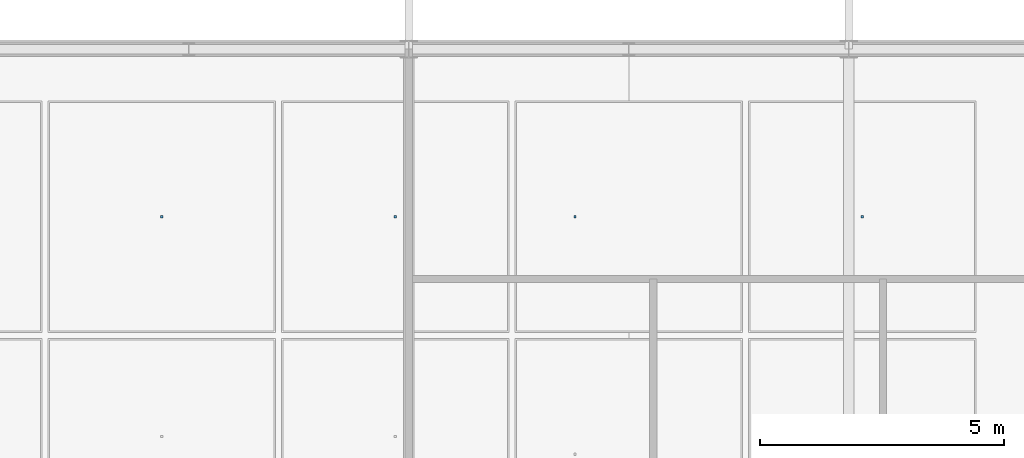
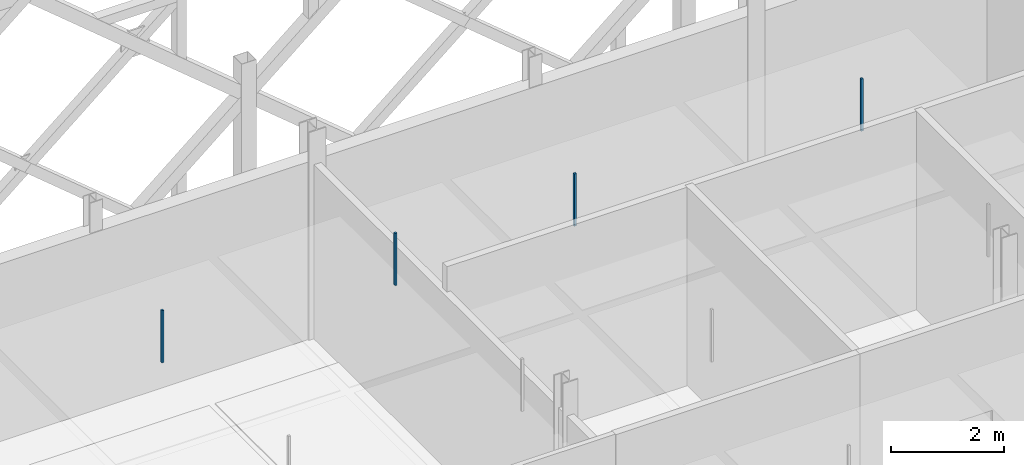
# One storey, part 56 of 66: 4 discrete accessories.
"""IFC4 building model written with IfcOpenShell, lengths in metres."""

from ifc_helpers import new_model, si_unit, direction, frame, origin, origin_2d, place, context, subcontext, project, spatial, rectangle, extrude, material, type_object, element, save


model = new_model("IFC4")

# Units and contexts
model_context = context("Model", 3, precision=1e-05, world=origin(), true_north=direction((0.0, 1.0)))
body_context = subcontext(model_context, "Body", "Model", "MODEL_VIEW")
ifc_project = project(units=[si_unit("LENGTHUNIT", "METRE"), si_unit("AREAUNIT", "SQUARE_METRE"), si_unit("VOLUMEUNIT", "CUBIC_METRE"), si_unit("PLANEANGLEUNIT", "RADIAN"), si_unit("MASSUNIT", "GRAM", prefix="KILO"), si_unit("THERMODYNAMICTEMPERATUREUNIT", "KELVIN"), si_unit("POWERUNIT", "WATT")], contexts=[model_context])

# Site, building, storey
site_placement = place(None, origin())
site = spatial("IfcSite", under=ifc_project, at=site_placement, CompositionType="ELEMENT")
building_placement = place(site_placement, origin())
building = spatial("IfcBuilding", under=site, at=building_placement, Name="Tallowbark Science Centre", CompositionType="ELEMENT")
storey_placement = place(building_placement, frame((0.0, 0.0, 18.89990234375)))
storey = spatial("IfcBuildingStorey", under=building, at=storey_placement, Name="L04", CompositionType="ELEMENT", Elevation=18.89990234375)

# Discrete accessories
ifc_material = material(Name="Galvanised Steel Grade C350L0 (350 MPa)", Category="steel")
discrete_accessory_type = type_object("IfcDiscreteAccessoryType", Name="ACC-CLG-HNG", PredefinedType="BRACKET", material=ifc_material)
for number, where, z_axis, x_axis, name in (
    (1, (71.4443359375, 37.0712890625, 3.20947265625), (0.0, 0.0, 1.0), (1.0, 0.0, 0.0), "Ceiling Hanger Bracket L04-1082"),
    (2, (76.22216796875, 37.0712890625, 3.20947265625), (0.0, 0.0, 1.0), (1.0, 0.0, 0.0), "Ceiling Hanger Bracket L04-1089"),
    (3, (79.900390625, 37.0712890625, 3.20947265625), (0.0, 0.0, 1.0), (1.0, 0.0, 0.0), "Ceiling Hanger Bracket L04-1096"),
    (4, (85.77783203125, 37.0712890625, 3.20947265625), (0.0, 0.0, 1.0), (1.0, 0.0, 0.0), "Ceiling Hanger Bracket L04-1103"),
):
    element("IfcDiscreteAccessory", number, at=place(storey_placement, frame(where, z_axis=z_axis, x_axis=x_axis)), inside=storey, type_object=discrete_accessory_type, Name=name, PredefinedType="BRACKET", context=body_context, shape_type="SweptSolid", body=[
        extrude(rectangle(XDim=0.044921875, YDim=0.044921875, at=origin_2d()), origin(), (0.0, 0.0, 1.0), 1.133544921875),
    ])

save(model, "model.ifc")
